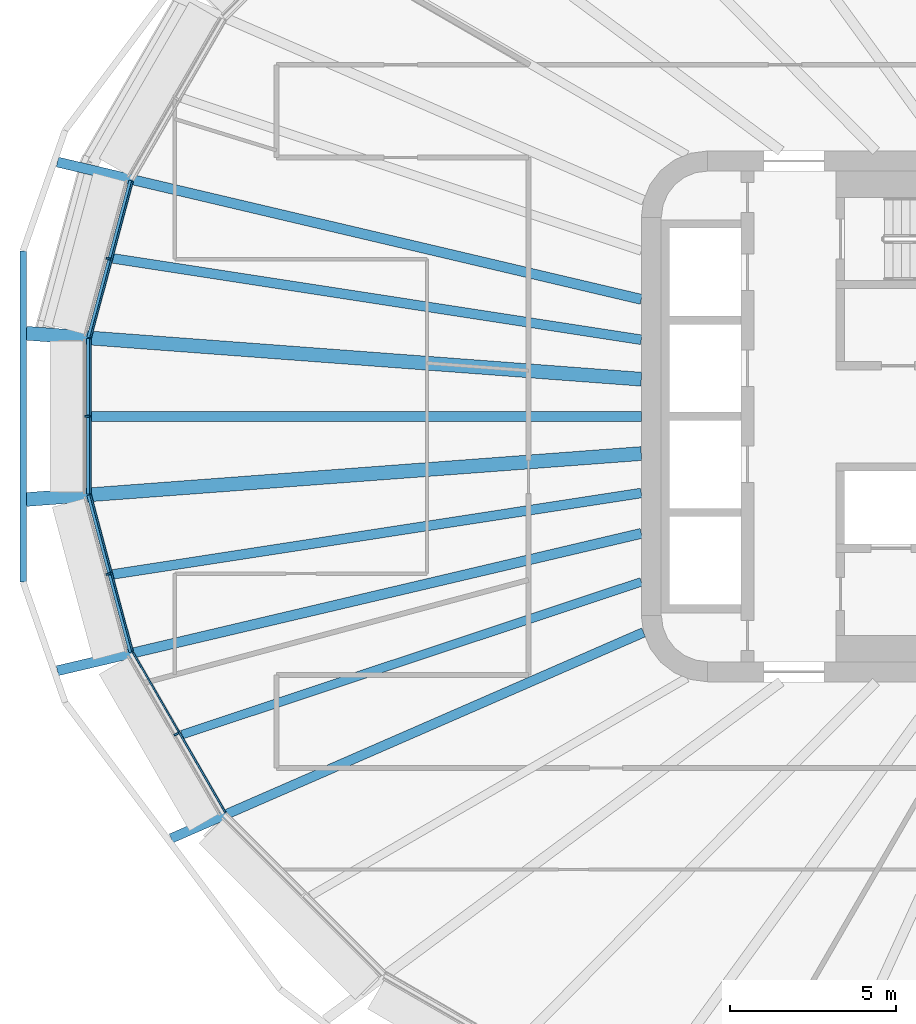
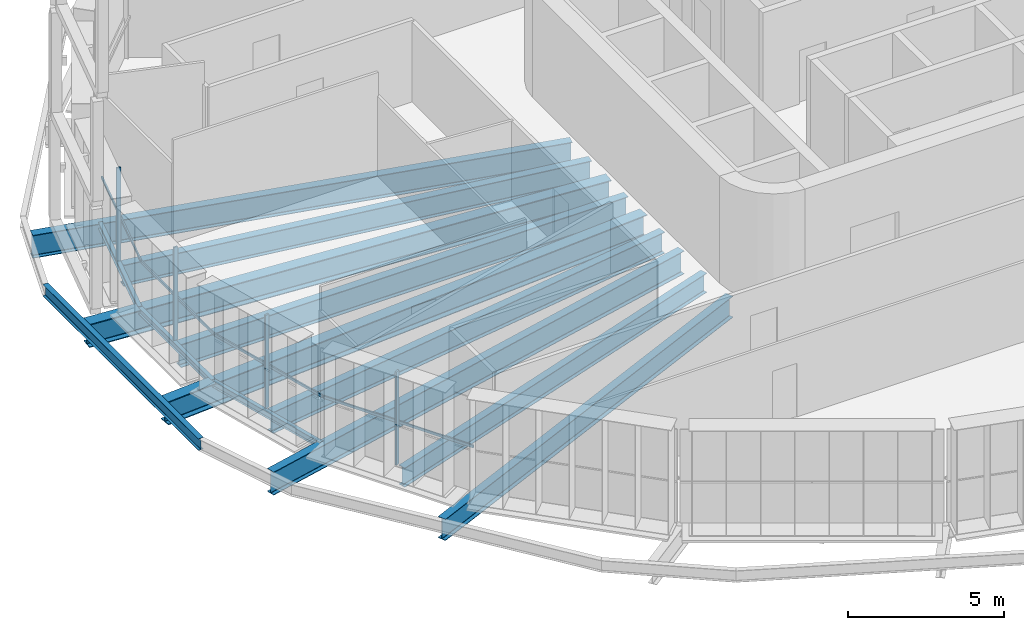
# One storey, part 3 of 25: 13 beams, 8 members, 4 elements without a shape of their own.
"""IFC4 building model written with IfcOpenShell, lengths in metres."""

from ifc_helpers import new_model, si_unit, direction, frame, origin, origin_2d, place, context, subcontext, project, spatial, rectangle, i_section, extrude, material, layer, layer_set, material_profile, profile_set, type_object, element, aggregate, save


model = new_model("IFC4")

# Units and contexts
model_context = context("Model", 3, precision=1e-05, world=origin(), true_north=direction((0.0, 1.0)))
body_context = subcontext(model_context, "Body", "Model", "MODEL_VIEW")
ifc_project = project(units=[si_unit("LENGTHUNIT", "METRE"), si_unit("AREAUNIT", "SQUARE_METRE"), si_unit("VOLUMEUNIT", "CUBIC_METRE"), si_unit("PLANEANGLEUNIT", "RADIAN"), si_unit("MASSUNIT", "GRAM", prefix="KILO")], contexts=[model_context])

# Site, building, storey
site_placement = place(None, origin())
site = spatial("IfcSite", under=ifc_project, at=site_placement, CompositionType="ELEMENT")
building_placement = place(site_placement, origin())
building = spatial("IfcBuilding", under=site, at=building_placement, Name="Sahrelin Media Tower", CompositionType="ELEMENT")
storey_placement = place(building_placement, frame((0.0, 0.0, 127.199951171875)))
storey = spatial("IfcBuildingStorey", under=building, at=storey_placement, Name="L25", CompositionType="ELEMENT", Elevation=127.199951171875)

# Beams
ifc_material_1 = material(Name="Steel S355", Category="steel")
ifc_material_profile_1 = material_profile(ifc_material_1, i_section(OverallWidth=0.14599609375, OverallDepth=0.25146484375, WebThickness=0.006103515625, FlangeThickness=0.008544921875, FilletRadius=0.007568359375, at=origin_2d()), Name="UB 254x146x31")
ifc_profile_set_1 = profile_set([ifc_material_profile_1], Name="Steel S355")
beam_type_1 = type_object("IfcBeamType", Name="Edge beam EB1", PredefinedType="BEAM", material=ifc_profile_set_1)
beam_1_placement = place(storey_placement, frame((-30.3759765625, -7.103759765625, -0.275634765625), z_axis=(-0.258806639616, 0.965929150244, 0.0), x_axis=(-0.965929150244, -0.258806639616, 0.0)))
element("IfcBeam", 1, at=beam_1_placement, inside=storey, type_object=beam_type_1, Name="Edge beam L25-12", PredefinedType="BEAM", context=body_context, shape_type="SweptSolid", body=[
    extrude(i_section(OverallWidth=0.14599609375, OverallDepth=0.25146484375, WebThickness=0.006103515625, FlangeThickness=0.008544921875, FilletRadius=0.007568359375, at=origin_2d()), origin(), (0.0, 0.0, 1.0), 4.900634765625),
])
beam_2_placement = place(storey_placement, frame((-31.648193359375, -2.341552734375, -0.275634765625), z_axis=(0.0, 1.0, 0.0), x_axis=(-1.0, 0.0, 0.0)))
element("IfcBeam", 2, at=beam_2_placement, inside=storey, type_object=beam_type_1, Name="Edge beam L25-13", PredefinedType="BEAM", context=body_context, shape_type="SweptSolid", body=[
    extrude(i_section(OverallWidth=0.14599609375, OverallDepth=0.25146484375, WebThickness=0.006103515625, FlangeThickness=0.008544921875, FilletRadius=0.007568359375, at=origin_2d()), origin(), (0.0, 0.0, 1.0), 4.68310546875),
])
beam_3_placement = place(storey_placement, frame((-31.644287109375, 2.3701171875, -0.275634765625), z_axis=(0.258806639616, 0.965929150244, 0.0), x_axis=(-0.965929150244, 0.258806639616, 0.0)))
element("IfcBeam", 3, at=beam_3_placement, inside=storey, type_object=beam_type_1, Name="Edge beam L25-14", PredefinedType="BEAM", context=body_context, shape_type="SweptSolid", body=[
    extrude(i_section(OverallWidth=0.14599609375, OverallDepth=0.25146484375, WebThickness=0.006103515625, FlangeThickness=0.008544921875, FilletRadius=0.007568359375, at=origin_2d()), origin(), (0.0, 0.0, 1.0), 4.900634765625),
])

# Curtain wall, member
ifc_material_2 = material(Name="Champagne anodised aluminium 6063-T6", Category="aluminium")
ifc_layer = layer(ifc_material_2, 0.14990234375)
ifc_layer_set = layer_set([ifc_layer], Name="Tower ribbon curtain wall")
curtain_wall_type = type_object("IfcCurtainWallType", Name="Tower ribbon curtain wall", PredefinedType="NOTDEFINED", material=ifc_layer_set)
curtain_wall_1_placement = place(storey_placement, frame((-31.155029296875, 4.77587890625, 0.0), z_axis=(0.0, 0.0, 1.0), x_axis=(1.0, 0.0, 0.0)))
curtain_wall_1 = element("IfcCurtainWall", 4, at=curtain_wall_1_placement, inside=storey, type_object=curtain_wall_type, Name="L25:CW:L25-11", PredefinedType="NOTDEFINED")
ifc_material_profile_2 = material_profile(ifc_material_2, rectangle(XDim=0.06005859375, YDim=0.14990234375, at=origin_2d()), Name="Mullion 60x150")
ifc_profile_set_2 = profile_set([ifc_material_profile_2], Name="Champagne anodised aluminium 6063-T6")
member_type_1 = type_object("IfcMemberType", Name="Mullion 60x150 CW1", PredefinedType="MULLION", material=ifc_profile_set_2)
member_1_placement = place(storey_placement, frame((-31.063232421875, 4.751220703125, 0.0), z_axis=(0.0, 0.0, 1.0), x_axis=(-0.258832531946, -0.965922212399, 0.0)))
member_1 = element("IfcMember", 5, at=member_1_placement, type_object=member_type_1, Name="L25:CWM:L25-11", PredefinedType="MULLION", context=body_context, shape_type="SweptSolid", body=[
    extrude(rectangle(XDim=0.06005859375, YDim=0.14990234375, at=origin_2d()), origin(), (0.0, 0.0, 1.0), 3.648681640625),
])

curtain_wall_2_placement = place(storey_placement, frame((-31.798095703125, 0.0, 0.0), z_axis=(0.0, 0.0, 1.0), x_axis=(1.0, 0.0, 0.0)))
curtain_wall_2 = element("IfcCurtainWall", 6, at=curtain_wall_2_placement, inside=storey, type_object=curtain_wall_type, Name="L25:CW:L25-12", PredefinedType="NOTDEFINED")
member_2_placement = place(storey_placement, frame((-31.703125, 0.0, 0.0), z_axis=(0.0, 0.0, 1.0), x_axis=(0.0, -1.0, 0.0)))
member_2 = element("IfcMember", 7, at=member_2_placement, type_object=member_type_1, Name="L25:CWM:L25-12", PredefinedType="MULLION", context=body_context, shape_type="SweptSolid", body=[
    extrude(rectangle(XDim=0.06005859375, YDim=0.14990234375, at=origin_2d()), origin(), (0.0, 0.0, 1.0), 3.648681640625),
])

curtain_wall_3_placement = place(storey_placement, frame((-31.155029296875, -4.775634765625, 0.0), z_axis=(0.0, 0.0, 1.0), x_axis=(1.0, 0.0, 0.0)))
curtain_wall_3 = element("IfcCurtainWall", 8, at=curtain_wall_3_placement, inside=storey, type_object=curtain_wall_type, Name="L25:CW:L25-13", PredefinedType="NOTDEFINED")
member_3_placement = place(storey_placement, frame((-31.063232421875, -4.751220703125, 0.0), z_axis=(0.0, 0.0, 1.0), x_axis=(0.258832531946, -0.965922212399, 0.0)))
member_3 = element("IfcMember", 9, at=member_3_placement, type_object=member_type_1, Name="L25:CWM:L25-13", PredefinedType="MULLION", context=body_context, shape_type="SweptSolid", body=[
    extrude(rectangle(XDim=0.06005859375, YDim=0.14990234375, at=origin_2d()), origin(), (0.0, 0.0, 1.0), 3.648681640625),
])

curtain_wall_4_placement = place(storey_placement, frame((-29.098388671875, -9.6240234375, 0.0), z_axis=(0.0, 0.0, 1.0), x_axis=(1.0, 0.0, 0.0)))
curtain_wall_4 = element("IfcCurtainWall", 10, at=curtain_wall_4_placement, inside=storey, type_object=curtain_wall_type, Name="L25:CW:L25-14", PredefinedType="NOTDEFINED")
member_4_placement = place(storey_placement, frame((-29.01611328125, -9.57666015625, 0.0), z_axis=(0.0, 0.0, 1.0), x_axis=(0.4999984885, -0.866026276448, 0.0)))
member_4 = element("IfcMember", 11, at=member_4_placement, type_object=member_type_1, Name="L25:CWM:L25-14", PredefinedType="MULLION", context=body_context, shape_type="SweptSolid", body=[
    extrude(rectangle(XDim=0.06005859375, YDim=0.14990234375, at=origin_2d()), origin(), (0.0, 0.0, 1.0), 3.648681640625),
])

# Beams
ifc_material_profile_3 = material_profile(ifc_material_1, i_section(OverallWidth=0.291748046875, OverallDepth=0.8349609375, WebThickness=0.013916015625, FlangeThickness=0.018798828125, FilletRadius=0.017822265625, at=origin_2d()), Name="UB 838x292x176")
ifc_profile_set_3 = profile_set([ifc_material_profile_3], Name="Steel S355")
beam_type_2 = type_object("IfcBeamType", Name="Radial primary beam PB10", PredefinedType="BEAM", material=ifc_profile_set_3)
beam_4_placement = place(storey_placement, frame((-14.9326171875, -6.51171875, -0.5673828125), z_axis=(-0.91664061464, -0.399712376081, 0.0), x_axis=(0.399712376081, -0.91664061464, 0.0)))
element("IfcBeam", 12, at=beam_4_placement, inside=storey, type_object=beam_type_2, Name="Radial beam L25-15", PredefinedType="BEAM", context=body_context, shape_type="SweptSolid", body=[
    extrude(i_section(OverallWidth=0.291748046875, OverallDepth=0.8349609375, WebThickness=0.013916015625, FlangeThickness=0.018798828125, FilletRadius=0.017822265625, at=origin_2d()), origin(), (0.0, 0.0, 1.0), 15.537841796875),
])
ifc_material_profile_4 = material_profile(ifc_material_1, i_section(OverallWidth=0.30322265625, OverallDepth=0.903076171875, WebThickness=0.01513671875, FlangeThickness=0.020263671875, FilletRadius=0.01904296875, at=origin_2d()), Name="UB 914x305x201")
ifc_profile_set_4 = profile_set([ifc_material_profile_4], Name="Steel S355")
beam_type_3 = type_object("IfcBeamType", Name="Radial primary beam PB11", PredefinedType="BEAM", material=ifc_profile_set_4)
for number, where, z_axis, x_axis, name in (
    (13, (-15.0, 3.527587890625, -0.6015625), (-0.973441952546, 0.228933975247, 0.0), (-0.228933975247, -0.973441952546, 0.0), "Radial beam L25-11"),
    (14, (-15.0, -3.527587890625, -0.6015625), (-0.973441952546, -0.228933975247, 0.0), (0.228933975247, -0.973441952546, 0.0), "Radial beam L25-14"),
):
    element("IfcBeam", number, at=place(storey_placement, frame(where, z_axis=z_axis, x_axis=x_axis)), inside=storey, type_object=beam_type_3, Name=name, PredefinedType="BEAM", context=body_context, shape_type="SweptSolid", body=[
        extrude(i_section(OverallWidth=0.30322265625, OverallDepth=0.903076171875, WebThickness=0.01513671875, FlangeThickness=0.020263671875, FilletRadius=0.01904296875, at=origin_2d()), origin(), (0.0, 0.0, 1.0), 18.082275390625),
    ])
ifc_material_profile_5 = material_profile(ifc_material_1, i_section(OverallWidth=0.41845703125, OverallDepth=0.911865234375, WebThickness=0.019287109375, FlangeThickness=0.031982421875, FilletRadius=0.024169921875, at=origin_2d()), Name="UB 914x419x343")
ifc_profile_set_5 = profile_set([ifc_material_profile_5], Name="Steel S355")
beam_type_4 = type_object("IfcBeamType", Name="Radial primary beam PB12", PredefinedType="BEAM", material=ifc_profile_set_5)
for number, where, z_axis, x_axis, name in (
    (15, (-15.0, 1.12060546875, -0.60595703125), (-0.997219962224, 0.07451407211, 0.0), (-0.07451407211, -0.997219962224, 0.0), "Radial beam L25-12"),
    (16, (-15.0, -1.12060546875, -0.60595703125), (-0.997219962224, -0.07451407211, 0.0), (0.07451407211, -0.997219962224, 0.0), "Radial beam L25-13"),
):
    element("IfcBeam", number, at=place(storey_placement, frame(where, z_axis=z_axis, x_axis=x_axis)), inside=storey, type_object=beam_type_4, Name=name, PredefinedType="BEAM", context=body_context, shape_type="SweptSolid", body=[
        extrude(i_section(OverallWidth=0.41845703125, OverallDepth=0.911865234375, WebThickness=0.019287109375, FlangeThickness=0.031982421875, FilletRadius=0.024169921875, at=origin_2d()), origin(), (0.0, 0.0, 1.0), 18.590576171875),
    ])
ifc_material_profile_6 = material_profile(ifc_material_1, i_section(OverallWidth=0.291748046875, OverallDepth=0.8349609375, WebThickness=0.013916015625, FlangeThickness=0.018798828125, FilletRadius=0.017822265625, at=origin_2d()), Name="UB 838x292x176")
ifc_profile_set_6 = profile_set([ifc_material_profile_6], Name="Steel S355")
beam_type_5 = type_object("IfcBeamType", Name="Radial secondary beam SB10", PredefinedType="BEAM", material=ifc_profile_set_6)
for number, where, z_axis, x_axis, name in (
    (17, (-15.0, 2.309814453125, -0.5673828125), (-0.988353300858, 0.152176715314, 0.0), (-0.152176715314, -0.988353300858, 0.0), "Secondary beam L25-07"),
    (18, (-15.0, -2.309814453125, -0.5673828125), (-0.988353300858, -0.152176715314, 0.0), (0.152176715314, -0.988353300858, 0.0), "Secondary beam L25-09"),
):
    element("IfcBeam", number, at=place(storey_placement, frame(where, z_axis=z_axis, x_axis=x_axis)), inside=storey, type_object=beam_type_5, Name=name, PredefinedType="BEAM", context=body_context, shape_type="SweptSolid", body=[
        extrude(i_section(OverallWidth=0.291748046875, OverallDepth=0.8349609375, WebThickness=0.013916015625, FlangeThickness=0.018798828125, FilletRadius=0.017822265625, at=origin_2d()), origin(), (0.0, 0.0, 1.0), 16.115478515625),
    ])
ifc_material_profile_7 = material_profile(ifc_material_1, i_section(OverallWidth=0.30322265625, OverallDepth=0.903076171875, WebThickness=0.01513671875, FlangeThickness=0.020263671875, FilletRadius=0.01904296875, at=origin_2d()), Name="UB 914x305x201")
ifc_profile_set_7 = profile_set([ifc_material_profile_7], Name="Steel S355")
beam_type_6 = type_object("IfcBeamType", Name="Radial secondary beam SB11", PredefinedType="BEAM", material=ifc_profile_set_7)
beam_5_placement = place(storey_placement, frame((-15.0, 0.0, -0.6015625), z_axis=(-1.0, 0.0, 0.0), x_axis=(0.0, -1.0, 0.0)))
element("IfcBeam", 19, at=beam_5_placement, inside=storey, type_object=beam_type_6, Name="Secondary beam L25-08", PredefinedType="BEAM", context=body_context, shape_type="SweptSolid", body=[
    extrude(i_section(OverallWidth=0.30322265625, OverallDepth=0.903076171875, WebThickness=0.01513671875, FlangeThickness=0.020263671875, FilletRadius=0.01904296875, at=origin_2d()), origin(), (0.0, 0.0, 1.0), 16.5751953125),
])
ifc_material_profile_8 = material_profile(ifc_material_1, i_section(OverallWidth=0.26513671875, OverallDepth=0.75390625, WebThickness=0.0126953125, FlangeThickness=0.017578125, FilletRadius=0.0166015625, at=origin_2d()), Name="UB 762x267x147")
ifc_profile_set_8 = profile_set([ifc_material_profile_8], Name="Steel S355")
beam_type_7 = type_object("IfcBeamType", Name="Radial secondary beam SB9", PredefinedType="BEAM", material=ifc_profile_set_8)
beam_6_placement = place(storey_placement, frame((-15.0, -4.989013671875, -0.52685546875), z_axis=(-0.948892219303, -0.315600310752, 0.0), x_axis=(0.315600310752, -0.948892219303, 0.0)))
element("IfcBeam", 20, at=beam_6_placement, inside=storey, type_object=beam_type_7, Name="Secondary beam L25-10", PredefinedType="BEAM", context=body_context, shape_type="SweptSolid", body=[
    extrude(i_section(OverallWidth=0.26513671875, OverallDepth=0.75390625, WebThickness=0.0126953125, FlangeThickness=0.017578125, FilletRadius=0.0166015625, at=origin_2d()), origin(), (0.0, 0.0, 1.0), 14.5927734375),
])
ifc_material_profile_9 = material_profile(ifc_material_1, i_section(OverallWidth=0.1904296875, OverallDepth=0.45703125, WebThickness=0.009033203125, FlangeThickness=0.014404296875, FilletRadius=0.01025390625, at=origin_2d()), Name="UB 457x191x74")
ifc_profile_set_9 = profile_set([ifc_material_profile_9], Name="Steel S355")
beam_type_8 = type_object("IfcBeamType", Name="Tie chord TC5", PredefinedType="BEAM", material=ifc_profile_set_9)
beam_7_placement = place(storey_placement, frame((-33.634033203125, 4.9921875, -0.37841796875), z_axis=(0.0, -1.0, 0.0), x_axis=(1.0, 0.0, 0.0)))
element("IfcBeam", 21, at=beam_7_placement, inside=storey, type_object=beam_type_8, Name="Tie chord L25-12", PredefinedType="BEAM", context=body_context, shape_type="SweptSolid", body=[
    extrude(i_section(OverallWidth=0.1904296875, OverallDepth=0.45703125, WebThickness=0.009033203125, FlangeThickness=0.014404296875, FilletRadius=0.01025390625, at=origin_2d()), origin(), (0.0, 0.0, 1.0), 9.984375),
])

# Member
ifc_material_profile_10 = material_profile(ifc_material_2, rectangle(XDim=0.050048828125, YDim=0.10009765625, at=origin_2d()), Name="Transom 50x100")
ifc_profile_set_10 = profile_set([ifc_material_profile_10], Name="Champagne anodised aluminium 6063-T6")
member_type_2 = type_object("IfcMemberType", Name="Transom 50x100 CW1", PredefinedType="USERDEFINED", material=ifc_profile_set_10)
member_5_placement = place(storey_placement, frame((-30.336669921875, 7.076904296875, 1.60009765625), z_axis=(-0.258817118121, -0.96592634262, 0.0), x_axis=(0.96592634262, -0.258817118121, 0.0)))
member_5 = element("IfcMember", 22, at=member_5_placement, type_object=member_type_2, Name="L25:CWT:L25-11", ObjectType="TRANSOM", PredefinedType="USERDEFINED", context=body_context, shape_type="SweptSolid", body=[
    extrude(rectangle(XDim=0.050048828125, YDim=0.10009765625, at=origin_2d()), origin(), (0.0, 0.0, 1.0), 4.869384765625),
])

aggregate(curtain_wall_1, [member_1, member_5])

member_6_placement = place(storey_placement, frame((-31.603271484375, 2.32568359375, 1.60009765625), z_axis=(0.0, -1.0, 0.0), x_axis=(1.0, 0.0, 0.0)))
member_6 = element("IfcMember", 23, at=member_6_placement, type_object=member_type_2, Name="L25:CWT:L25-12", ObjectType="TRANSOM", PredefinedType="USERDEFINED", context=body_context, shape_type="SweptSolid", body=[
    extrude(rectangle(XDim=0.050048828125, YDim=0.10009765625, at=origin_2d()), origin(), (0.0, 0.0, 1.0), 4.6513671875),
])

aggregate(curtain_wall_2, [member_2, member_6])

member_7_placement = place(storey_placement, frame((-31.596923828125, -2.37353515625, 1.60009765625), z_axis=(0.258817118121, -0.96592634262, 0.0), x_axis=(0.96592634262, 0.258817118121, 0.0)))
member_7 = element("IfcMember", 24, at=member_7_placement, type_object=member_type_2, Name="L25:CWT:L25-13", ObjectType="TRANSOM", PredefinedType="USERDEFINED", context=body_context, shape_type="SweptSolid", body=[
    extrude(rectangle(XDim=0.050048828125, YDim=0.10009765625, at=origin_2d()), origin(), (0.0, 0.0, 1.0), 4.869384765625),
])

aggregate(curtain_wall_3, [member_3, member_7])

member_8_placement = place(storey_placement, frame((-30.318115234375, -7.12158203125, 1.60009765625), z_axis=(0.500001483402, -0.86602454734, 0.0), x_axis=(0.86602454734, 0.500001483402, 0.0)))
member_8 = element("IfcMember", 25, at=member_8_placement, type_object=member_type_2, Name="L25:CWT:L25-14", ObjectType="TRANSOM", PredefinedType="USERDEFINED", context=body_context, shape_type="SweptSolid", body=[
    extrude(rectangle(XDim=0.050048828125, YDim=0.10009765625, at=origin_2d()), origin(), (0.0, 0.0, 1.0), 5.55419921875),
])

aggregate(curtain_wall_4, [member_4, member_8])

save(model, "model.ifc")
